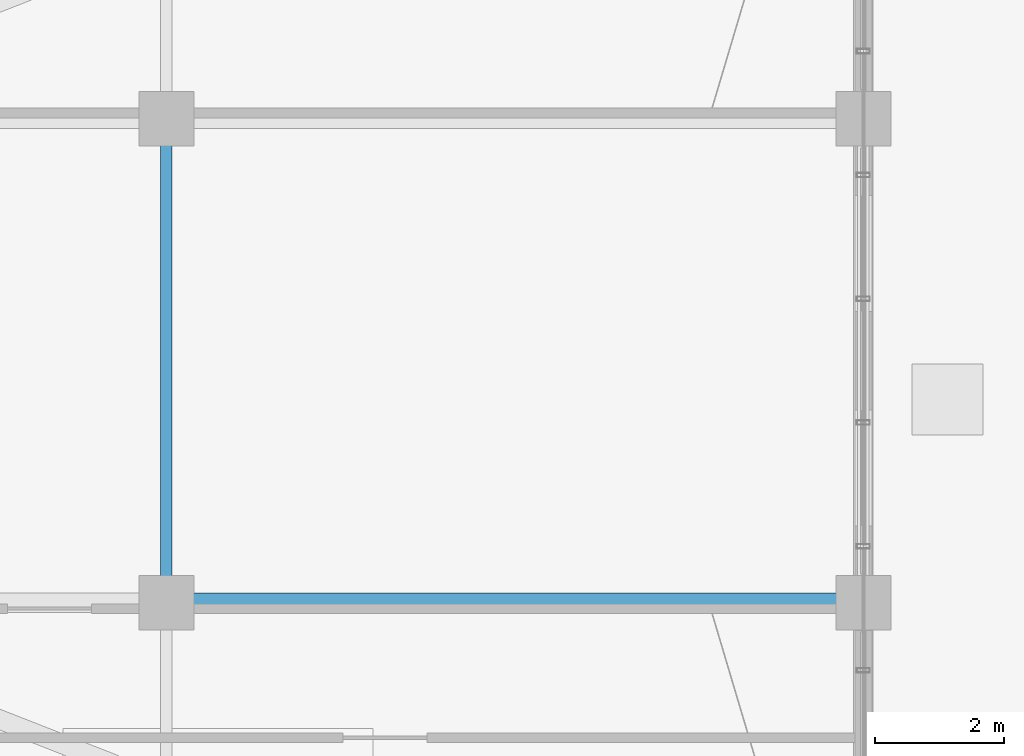
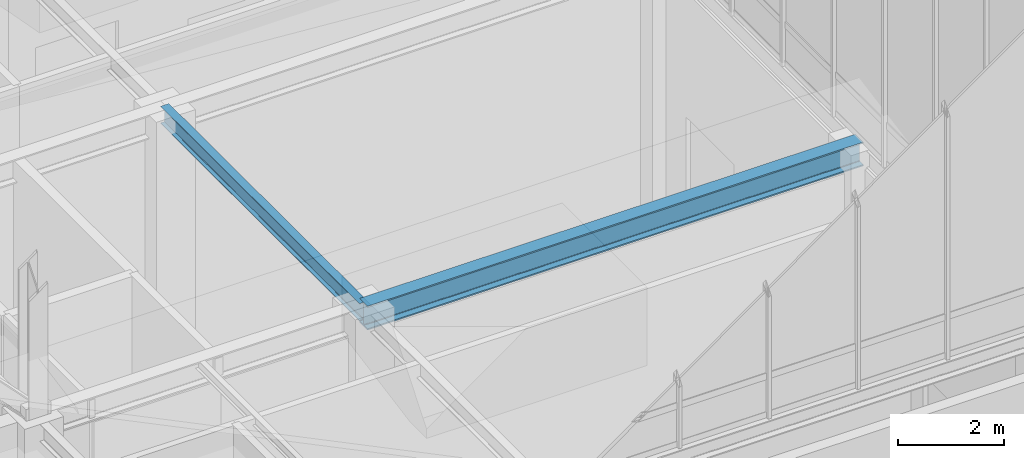
# One storey, part 32 of 49: 2 beams.
"""IFC4 building model written with IfcOpenShell, lengths in metres."""

from ifc_helpers import new_model, si_unit, direction, frame, origin, origin_2d, place, context, subcontext, project, spatial, i_section, extrude, source, transform, mapped, material, material_profile, profile_set, type_object, element, save


model = new_model("IFC4")

# Units and contexts
model_context = context("Model", 3, precision=1e-05, world=origin(), true_north=direction((0.0, 1.0)))
body_context = subcontext(model_context, "Body", "Model", "MODEL_VIEW")
ifc_project = project(units=[si_unit("LENGTHUNIT", "METRE"), si_unit("AREAUNIT", "SQUARE_METRE"), si_unit("VOLUMEUNIT", "CUBIC_METRE"), si_unit("PLANEANGLEUNIT", "RADIAN"), si_unit("MASSUNIT", "GRAM", prefix="KILO")], contexts=[model_context])

# Site, building, storey
site_placement = place(None, origin())
site = spatial("IfcSite", under=ifc_project, at=site_placement, CompositionType="ELEMENT")
building_placement = place(site_placement, origin())
building = spatial("IfcBuilding", under=site, at=building_placement, Name="Kaliganga Portal Commons", CompositionType="ELEMENT")
storey_placement = place(building_placement, frame((0.0, 0.0, 298.0)))
storey = spatial("IfcBuildingStorey", under=building, at=storey_placement, Name="L77", CompositionType="ELEMENT", Elevation=298.0)

# Beams
ifc_material = material(Name="Structural steel S355J2", Category="steel")
ifc_material_profile_1 = material_profile(ifc_material, i_section(OverallWidth=0.300048828125, OverallDepth=0.550048828125, WebThickness=0.014892578125, FlangeThickness=0.029052734375, FilletRadius=0.027099609375, at=origin_2d()), Name="HE 550 B")
ifc_profile_set_1 = profile_set([ifc_material_profile_1], Name="Structural steel S355J2 wide-flange")
beam_type_1 = type_object("IfcBeamType", Name="BM-GIRD-550", PredefinedType="USERDEFINED", material=ifc_profile_set_1)
shared_shape_1 = source(origin(), body_context, "Body", "SweptSolid", [
    extrude(i_section(OverallWidth=0.300048828125, OverallDepth=0.550048828125, WebThickness=0.014892578125, FlangeThickness=0.029052734375, FilletRadius=0.027099609375, at=origin_2d()), origin(), (0.0, 0.0, 1.0), 10.800048828125),
])
beam_1_placement = place(storey_placement, frame((36.0, 28.64990234375, 5.72509765625), z_axis=(1.0, 0.0, 0.0), x_axis=(0.0, 1.0, 0.0)))
element("IfcBeam", 1, at=beam_1_placement, inside=storey, type_object=beam_type_1, Name="BM G L77 WAE_S 2", ObjectType="GIRDER", PredefinedType="USERDEFINED", context=body_context, shape_type="MappedRepresentation", body=[
    mapped(shared_shape_1, transform((0.0, 0.0, 0.0), x_axis=(1.0, 0.0, 0.0), y_axis=(0.0, 1.0, 0.0), z_axis=(0.0, 0.0, 1.0), scale=1.0)),
])
ifc_material_profile_2 = material_profile(ifc_material, i_section(OverallWidth=0.179931640625, OverallDepth=0.39990234375, WebThickness=0.008544921875, FlangeThickness=0.013427734375, FilletRadius=0.02099609375, at=origin_2d()), Name="IPE 400")
ifc_profile_set_2 = profile_set([ifc_material_profile_2], Name="Structural steel S355J2 wide-flange")
beam_type_2 = type_object("IfcBeamType", Name="BM-FLR-400", PredefinedType="BEAM", material=ifc_profile_set_2)
shared_shape_2 = source(origin(), body_context, "Body", "SweptSolid", [
    extrude(i_section(OverallWidth=0.179931640625, OverallDepth=0.39990234375, WebThickness=0.008544921875, FlangeThickness=0.013427734375, FilletRadius=0.02099609375, at=origin_2d()), origin(), (0.0, 0.0, 1.0), 7.5),
])
beam_2_placement = place(storey_placement, frame((36.0, 28.64990234375, 5.800048828125), z_axis=(0.0, 1.0, 0.0), x_axis=(-1.0, 0.0, 0.0)))
element("IfcBeam", 2, at=beam_2_placement, inside=storey, type_object=beam_type_2, Name="BM G L77 AM360", PredefinedType="BEAM", context=body_context, shape_type="MappedRepresentation", body=[
    mapped(shared_shape_2, transform((0.0, 0.0, 0.0), x_axis=(1.0, 0.0, 0.0), y_axis=(0.0, 1.0, 0.0), z_axis=(0.0, 0.0, 1.0), scale=1.0)),
])

save(model, "model.ifc")
